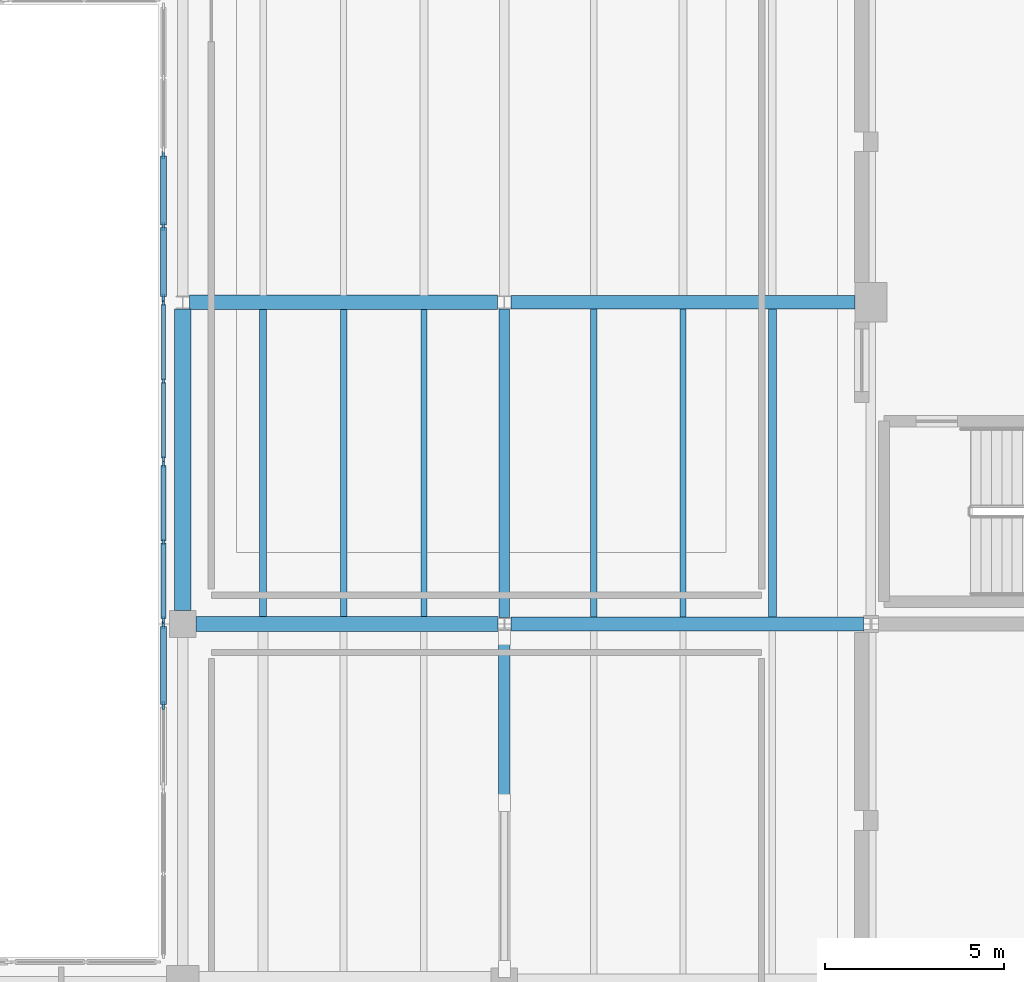
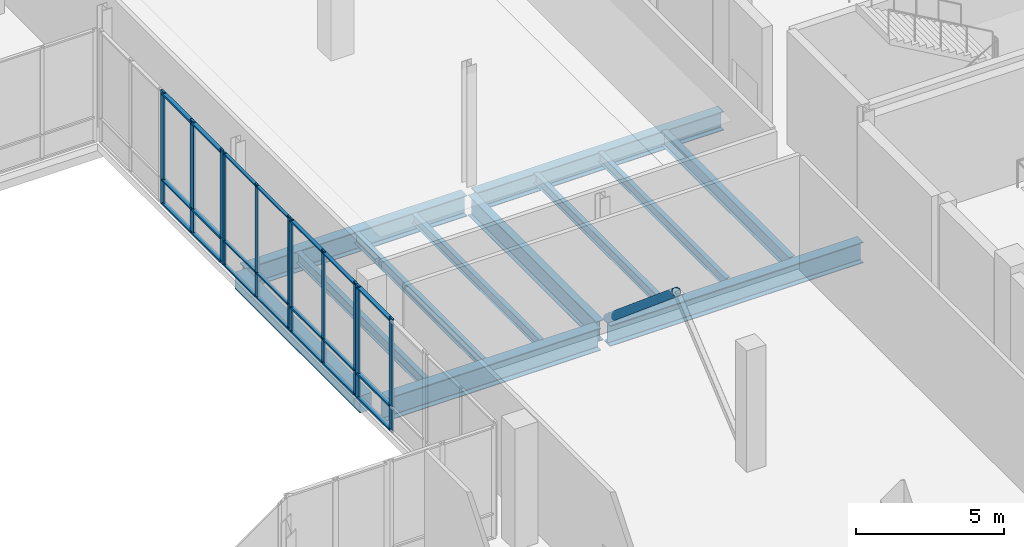
# One storey, part 35 of 81: 33 members, 12 beams, 4 elements without a shape of their own.
"""IFC4 building model written with IfcOpenShell, lengths in metres."""

from ifc_helpers import new_model, si_unit, direction, frame, origin, origin_2d, place, context, subcontext, project, spatial, rectangle, hollow_circle, i_section, extrude, material, material_profile, profile_set, type_object, element, aggregate, save


model = new_model("IFC4")

# Units and contexts
model_context = context("Model", 3, precision=1e-05, world=origin(), true_north=direction((0.0, 1.0)))
body_context = subcontext(model_context, "Body", "Model", "MODEL_VIEW")
ifc_project = project(units=[si_unit("LENGTHUNIT", "METRE"), si_unit("AREAUNIT", "SQUARE_METRE"), si_unit("VOLUMEUNIT", "CUBIC_METRE"), si_unit("PLANEANGLEUNIT", "RADIAN"), si_unit("MASSUNIT", "GRAM", prefix="KILO")], contexts=[model_context])

# Site, building, storey
site_placement = place(None, origin())
site = spatial("IfcSite", under=ifc_project, at=site_placement, CompositionType="ELEMENT")
building_placement = place(site_placement, origin())
building = spatial("IfcBuilding", under=site, at=building_placement, Name="Trimount Lyric Opera House", CompositionType="ELEMENT")
storey_placement = place(building_placement, frame((0.0, 0.0, 5.0)))
storey = spatial("IfcBuildingStorey", under=building, at=storey_placement, Name="L01", CompositionType="ELEMENT", Elevation=5.0)

# Beams
ifc_material_1 = material(Name="Steel ASTM A992 Grade 50", Category="steel")
ifc_material_profile_1 = material_profile(ifc_material_1, i_section(OverallWidth=0.4189453125, OverallDepth=0.927001953125, WebThickness=0.019287109375, FlangeThickness=0.031982421875, FilletRadius=0.02392578125, at=origin_2d()), Name="W36X231")
ifc_profile_set_1 = profile_set([ifc_material_profile_1], Name="Steel ASTM A992 Grade 50")
beam_type_1 = type_object("IfcBeamType", Name="B-02", PredefinedType="BEAM", material=ifc_profile_set_1)
beam_1_placement = place(storey_placement, frame((45.375, 84.0, -0.743408203125), z_axis=(1.0, 0.0, 0.0), x_axis=(0.0, 1.0, 0.0)))
element("IfcBeam", 1, at=beam_1_placement, inside=storey, type_object=beam_type_1, Name="L01 girder X-0534", PredefinedType="BEAM", context=body_context, shape_type="SweptSolid", body=[
    extrude(i_section(OverallWidth=0.4189453125, OverallDepth=0.927001953125, WebThickness=0.019287109375, FlangeThickness=0.031982421875, FilletRadius=0.02392578125, at=origin_2d()), origin(), (0.0, 0.0, 1.0), 8.44091796875),
])
ifc_material_2 = material(Name="Steel ASTM A992 Grade 50", Category="steel")
ifc_material_profile_2 = material_profile(ifc_material_2, i_section(OverallWidth=0.40087890625, OverallDepth=0.861083984375, WebThickness=0.019775390625, FlangeThickness=0.032470703125, FilletRadius=0.02001953125, at=origin_2d()), Name="W33X221")
ifc_profile_set_2 = profile_set([ifc_material_profile_2], Name="Steel ASTM A992 Grade 50")
beam_type_2 = type_object("IfcBeamType", Name="B-04", PredefinedType="BEAM", material=ifc_profile_set_2)
beam_2_placement = place(storey_placement, frame((54.18408203125, 84.0, -0.755615234375), z_axis=(1.0, 0.0, 0.0), x_axis=(0.0, 1.0, 0.0)))
element("IfcBeam", 2, at=beam_2_placement, inside=storey, type_object=beam_type_2, Name="L01 girder X-0535", PredefinedType="BEAM", context=body_context, shape_type="SweptSolid", body=[
    extrude(i_section(OverallWidth=0.40087890625, OverallDepth=0.861083984375, WebThickness=0.019775390625, FlangeThickness=0.032470703125, FilletRadius=0.02001953125, at=origin_2d()), origin(), (0.0, 0.0, 1.0), 9.864990234375),
])
beam_3_placement = place(storey_placement, frame((45.18408203125, 93.0, -0.71044921875), z_axis=(1.0, 0.0, 0.0), x_axis=(0.0, 1.0, 0.0)))
element("IfcBeam", 3, at=beam_3_placement, inside=storey, type_object=beam_type_2, Name="L01 girder X-0544", PredefinedType="BEAM", context=body_context, shape_type="SweptSolid", body=[
    extrude(i_section(OverallWidth=0.40087890625, OverallDepth=0.861083984375, WebThickness=0.019775390625, FlangeThickness=0.032470703125, FilletRadius=0.02001953125, at=origin_2d()), origin(), (0.0, 0.0, 1.0), 8.62939453125),
])
ifc_material_3 = material(Name="Steel ASTM A992 Grade 50", Category="steel")
ifc_material_profile_3 = material_profile(ifc_material_3, i_section(OverallWidth=0.2919921875, OverallDepth=0.845947265625, WebThickness=0.015380859375, FlangeThickness=0.0244140625, FilletRadius=0.01806640625, at=origin_2d()), Name="W33X141")
ifc_profile_set_3 = profile_set([ifc_material_profile_3], Name="Steel ASTM A992 Grade 50")
beam_type_3 = type_object("IfcBeamType", Name="B-05", PredefinedType="BEAM", material=ifc_profile_set_3)
beam_4_placement = place(storey_placement, frame((54.0, 84.177978515625, -0.702880859375), z_axis=(0.0, 1.0, 0.0), x_axis=(-1.0, 0.0, 0.0)))
element("IfcBeam", 4, at=beam_4_placement, inside=storey, type_object=beam_type_3, Name="L01 girder Y-0643", PredefinedType="BEAM", context=body_context, shape_type="SweptSolid", body=[
    extrude(i_section(OverallWidth=0.2919921875, OverallDepth=0.845947265625, WebThickness=0.015380859375, FlangeThickness=0.0244140625, FilletRadius=0.01806640625, at=origin_2d()), origin(), (0.0, 0.0, 1.0), 8.637939453125),
])
ifc_material_4 = material(Name="Steel ASTM A992 Grade 50", Category="steel")
ifc_material_profile_4 = material_profile(ifc_material_4, i_section(OverallWidth=0.382080078125, OverallDepth=0.779052734375, WebThickness=0.01806640625, FlangeThickness=0.0302734375, FilletRadius=0.01904296875, at=origin_2d()), Name="W30X191")
ifc_profile_set_4 = profile_set([ifc_material_profile_4], Name="Steel ASTM A992 Grade 50")
beam_type_4 = type_object("IfcBeamType", Name="B-06", PredefinedType="BEAM", material=ifc_profile_set_4)
beam_5_placement = place(storey_placement, frame((54.1865234375, 93.0, -0.714599609375), z_axis=(1.0, 0.0, 0.0), x_axis=(0.0, 1.0, 0.0)))
element("IfcBeam", 5, at=beam_5_placement, inside=storey, type_object=beam_type_4, Name="L01 girder X-0545", PredefinedType="BEAM", context=body_context, shape_type="SweptSolid", body=[
    extrude(i_section(OverallWidth=0.382080078125, OverallDepth=0.779052734375, WebThickness=0.01806640625, FlangeThickness=0.0302734375, FilletRadius=0.01904296875, at=origin_2d()), origin(), (0.0, 0.0, 1.0), 9.62353515625),
])

# Member
ifc_material_5 = material(Name="Steel ASTM A500 Grade C", Category="steel")
ifc_material_profile_5 = material_profile(ifc_material_5, hollow_circle(Radius=0.161865234375, WallThickness=0.01171875, at=origin_2d()), Name="HSS323.9X12.7")
ifc_profile_set_5 = profile_set([ifc_material_profile_5], Name="Steel ASTM A500 Grade C")
member_type_1 = type_object("IfcMemberType", Name="BR-05", PredefinedType="BRACE", material=ifc_profile_set_5)
member_1_placement = place(storey_placement, frame((54.0, 83.64990234375, 0.14990234375), z_axis=(0.0, -0.766173014074, 0.642634353661), x_axis=(1.0, 0.0, 0.0)))
element("IfcMember", 6, at=member_1_placement, inside=storey, type_object=member_type_1, Name="L01 lateral chevron brace BF-2.2", PredefinedType="BRACE", context=body_context, shape_type="SweptSolid", body=[
    extrude(hollow_circle(Radius=0.161865234375, WallThickness=0.01171875, at=origin_2d()), origin(), (0.0, 0.0, 1.0), 6.069091796875),
])

# Beams
ifc_material_6 = material(Name="Steel ASTM A992 Grade 50", Category="steel")
ifc_material_profile_6 = material_profile(ifc_material_6, i_section(OverallWidth=0.22802734375, OverallDepth=0.60205078125, WebThickness=0.010498046875, FlangeThickness=0.014892578125, FilletRadius=0.012939453125, at=origin_2d()), Name="W24X68")
ifc_profile_set_6 = profile_set([ifc_material_profile_6], Name="Steel ASTM A992 Grade 50")
beam_type_5 = type_object("IfcBeamType", Name="J-01", PredefinedType="BEAM", material=ifc_profile_set_6)
beam_6_placement = place(storey_placement, frame((61.5, 84.196533203125, -0.5810546875), z_axis=(0.0, 1.0, 0.0), x_axis=(-1.0, 0.0, 0.0)))
element("IfcBeam", 7, at=beam_6_placement, inside=storey, type_object=beam_type_5, Name="L01 composite floor joist 0679", PredefinedType="BEAM", context=body_context, shape_type="SweptSolid", body=[
    extrude(i_section(OverallWidth=0.22802734375, OverallDepth=0.60205078125, WebThickness=0.010498046875, FlangeThickness=0.014892578125, FilletRadius=0.012939453125, at=origin_2d()), origin(), (0.0, 0.0, 1.0), 8.616455078125),
])
ifc_material_7 = material(Name="Steel ASTM A992 Grade 50", Category="steel")
ifc_material_profile_7 = material_profile(ifc_material_7, i_section(OverallWidth=0.19091796875, OverallDepth=0.45703125, WebThickness=0.009033203125, FlangeThickness=0.014404296875, FilletRadius=0.010986328125, at=origin_2d()), Name="W18X50")
ifc_profile_set_7 = profile_set([ifc_material_profile_7], Name="Steel ASTM A992 Grade 50")
beam_type_6 = type_object("IfcBeamType", Name="J-04", PredefinedType="BEAM", material=ifc_profile_set_7)
beam_7_placement = place(storey_placement, frame((47.25, 84.20556640625, -0.508544921875), z_axis=(0.0, 1.0, 0.0), x_axis=(-1.0, 0.0, 0.0)))
element("IfcBeam", 8, at=beam_7_placement, inside=storey, type_object=beam_type_6, Name="L01 composite floor joist 0650", PredefinedType="BEAM", context=body_context, shape_type="SweptSolid", body=[
    extrude(i_section(OverallWidth=0.19091796875, OverallDepth=0.45703125, WebThickness=0.009033203125, FlangeThickness=0.014404296875, FilletRadius=0.010986328125, at=origin_2d()), origin(), (0.0, 0.0, 1.0), 8.597900390625),
])
ifc_material_8 = material(Name="Steel ASTM A992 Grade 50", Category="steel")
ifc_material_profile_8 = material_profile(ifc_material_8, i_section(OverallWidth=0.180908203125, OverallDepth=0.4169921875, WebThickness=0.010986328125, FlangeThickness=0.018310546875, FilletRadius=0.010986328125, at=origin_2d()), Name="W16X57")
ifc_profile_set_8 = profile_set([ifc_material_profile_8], Name="Steel ASTM A992 Grade 50")
beam_type_7 = type_object("IfcBeamType", Name="J-05", PredefinedType="BEAM", material=ifc_profile_set_8)
beam_8_placement = place(storey_placement, frame((49.5, 84.20556640625, -0.488525390625), z_axis=(0.0, 1.0, 0.0), x_axis=(-1.0, 0.0, 0.0)))
element("IfcBeam", 9, at=beam_8_placement, inside=storey, type_object=beam_type_7, Name="L01 composite floor joist 0651", PredefinedType="BEAM", context=body_context, shape_type="SweptSolid", body=[
    extrude(i_section(OverallWidth=0.180908203125, OverallDepth=0.4169921875, WebThickness=0.010986328125, FlangeThickness=0.018310546875, FilletRadius=0.010986328125, at=origin_2d()), origin(), (0.0, 0.0, 1.0), 8.597900390625),
])
beam_9_placement = place(storey_placement, frame((56.5, 84.196533203125, -0.488525390625), z_axis=(0.0, 1.0, 0.0), x_axis=(-1.0, 0.0, 0.0)))
element("IfcBeam", 10, at=beam_9_placement, inside=storey, type_object=beam_type_7, Name="L01 composite floor joist 0677", PredefinedType="BEAM", context=body_context, shape_type="SweptSolid", body=[
    extrude(i_section(OverallWidth=0.180908203125, OverallDepth=0.4169921875, WebThickness=0.010986328125, FlangeThickness=0.018310546875, FilletRadius=0.010986328125, at=origin_2d()), origin(), (0.0, 0.0, 1.0), 8.616455078125),
])
ifc_material_9 = material(Name="Steel ASTM A992 Grade 50", Category="steel")
ifc_material_profile_9 = material_profile(ifc_material_9, i_section(OverallWidth=0.177978515625, OverallDepth=0.404052734375, WebThickness=0.007568359375, FlangeThickness=0.010986328125, FilletRadius=0.010009765625, at=origin_2d()), Name="W16X36")
ifc_profile_set_9 = profile_set([ifc_material_profile_9], Name="Steel ASTM A992 Grade 50")
beam_type_8 = type_object("IfcBeamType", Name="J-06", PredefinedType="BEAM", material=ifc_profile_set_9)
beam_10_placement = place(storey_placement, frame((51.75, 84.20556640625, -0.48193359375), z_axis=(0.0, 1.0, 0.0), x_axis=(-1.0, 0.0, 0.0)))
element("IfcBeam", 11, at=beam_10_placement, inside=storey, type_object=beam_type_8, Name="L01 composite floor joist 0652", PredefinedType="BEAM", context=body_context, shape_type="SweptSolid", body=[
    extrude(i_section(OverallWidth=0.177978515625, OverallDepth=0.404052734375, WebThickness=0.007568359375, FlangeThickness=0.010986328125, FilletRadius=0.010009765625, at=origin_2d()), origin(), (0.0, 0.0, 1.0), 8.597900390625),
])
beam_11_placement = place(storey_placement, frame((59.0, 84.196533203125, -0.48193359375), z_axis=(0.0, 1.0, 0.0), x_axis=(-1.0, 0.0, 0.0)))
element("IfcBeam", 12, at=beam_11_placement, inside=storey, type_object=beam_type_8, Name="L01 composite floor joist 0678", PredefinedType="BEAM", context=body_context, shape_type="SweptSolid", body=[
    extrude(i_section(OverallWidth=0.177978515625, OverallDepth=0.404052734375, WebThickness=0.007568359375, FlangeThickness=0.010986328125, FilletRadius=0.010009765625, at=origin_2d()), origin(), (0.0, 0.0, 1.0), 8.616455078125),
])

# Curtain wall, members
ifc_material_10 = material(Name="Thermally Broken Aluminium and Low-E Glass", Category="aluminium")
curtain_wall_type = type_object("IfcCurtainWallType", Name="CW-03", PredefinedType="NOTDEFINED", material=ifc_material_10)
curtain_wall_1_placement = place(storey_placement, origin())
curtain_wall_1 = element("IfcCurtainWall", 13, at=curtain_wall_1_placement, inside=storey, type_object=curtain_wall_type, Name="L01 curtain wall 150", PredefinedType="NOTDEFINED")
ifc_material_11 = material(Name="Anodised Aluminium 6063-T6", Category="aluminium")
ifc_material_profile_10 = material_profile(ifc_material_11, rectangle(XDim=0.070068359375, YDim=0.219970703125, at=origin_2d()), Name="ALU-MULL-70X220")
ifc_profile_set_10 = profile_set([ifc_material_profile_10], Name="Anodised Aluminium 6063-T6")
member_type_2 = type_object("IfcMemberType", Name="ML-01", PredefinedType="MULLION", material=ifc_profile_set_10)
member_2_placement = place(storey_placement, frame((44.4599609375, 81.715087890625, 0.0), z_axis=(0.0, 0.0, 1.0), x_axis=(-1.0, 0.0, 0.0)))
member_2 = element("IfcMember", 14, at=member_2_placement, type_object=member_type_2, Name="CW-03 mullion 2", PredefinedType="MULLION", context=body_context, shape_type="SweptSolid", body=[
    extrude(rectangle(XDim=0.070068359375, YDim=0.219970703125, at=origin_2d()), origin(), (0.0, 0.0, 1.0), 4.679931640625),
])
member_3_placement = place(storey_placement, frame((44.4599609375, 83.965087890625, 0.0), z_axis=(0.0, 0.0, 1.0), x_axis=(-1.0, 0.0, 0.0)))
member_3 = element("IfcMember", 15, at=member_3_placement, type_object=member_type_2, Name="CW-03 mullion 3", PredefinedType="MULLION", context=body_context, shape_type="SweptSolid", body=[
    extrude(rectangle(XDim=0.070068359375, YDim=0.219970703125, at=origin_2d()), origin(), (0.0, 0.0, 1.0), 4.679931640625),
])

curtain_wall_2_placement = place(storey_placement, origin())
curtain_wall_2 = element("IfcCurtainWall", 16, at=curtain_wall_2_placement, inside=storey, type_object=curtain_wall_type, Name="L01 curtain wall 153", PredefinedType="NOTDEFINED")
member_4_placement = place(storey_placement, frame((44.4599609375, 93.125, 0.0), z_axis=(0.0, 0.0, 1.0), x_axis=(-1.0, 0.0, 0.0)))
member_4 = element("IfcMember", 17, at=member_4_placement, type_object=member_type_2, Name="CW-03 mullion 1", PredefinedType="MULLION", context=body_context, shape_type="SweptSolid", body=[
    extrude(rectangle(XDim=0.070068359375, YDim=0.219970703125, at=origin_2d()), origin(), (0.0, 0.0, 1.0), 4.679931640625),
])
member_5_placement = place(storey_placement, frame((44.4599609375, 95.125, 0.0), z_axis=(0.0, 0.0, 1.0), x_axis=(-1.0, 0.0, 0.0)))
member_5 = element("IfcMember", 18, at=member_5_placement, type_object=member_type_2, Name="CW-03 mullion 2", PredefinedType="MULLION", context=body_context, shape_type="SweptSolid", body=[
    extrude(rectangle(XDim=0.070068359375, YDim=0.219970703125, at=origin_2d()), origin(), (0.0, 0.0, 1.0), 4.679931640625),
])
member_6_placement = place(storey_placement, frame((44.4599609375, 97.125, 0.0), z_axis=(0.0, 0.0, 1.0), x_axis=(-1.0, 0.0, 0.0)))
member_6 = element("IfcMember", 19, at=member_6_placement, type_object=member_type_2, Name="CW-03 mullion 3", PredefinedType="MULLION", context=body_context, shape_type="SweptSolid", body=[
    extrude(rectangle(XDim=0.070068359375, YDim=0.219970703125, at=origin_2d()), origin(), (0.0, 0.0, 1.0), 4.679931640625),
])

curtain_wall_3_placement = place(storey_placement, origin())
curtain_wall_3 = element("IfcCurtainWall", 20, at=curtain_wall_3_placement, inside=storey, type_object=curtain_wall_type, Name="L01 curtain wall 151", PredefinedType="NOTDEFINED")
ifc_material_12 = material(Name="Anodised Aluminium 6063-T6", Category="aluminium")
ifc_material_profile_11 = material_profile(ifc_material_12, rectangle(XDim=0.06494140625, YDim=0.179931640625, at=origin_2d()), Name="ALU-MULL-65X180")
ifc_profile_set_11 = profile_set([ifc_material_profile_11], Name="Anodised Aluminium 6063-T6")
member_type_3 = type_object("IfcMemberType", Name="ML-02", PredefinedType="MULLION", material=ifc_profile_set_11)
member_7_placement = place(storey_placement, frame((44.4599609375, 84.12255859375, 0.0), z_axis=(0.0, 0.0, 1.0), x_axis=(-1.0, 0.0, 0.0)))
member_7 = element("IfcMember", 21, at=member_7_placement, type_object=member_type_3, Name="CW-03 mullion 1", PredefinedType="MULLION", context=body_context, shape_type="SweptSolid", body=[
    extrude(rectangle(XDim=0.06494140625, YDim=0.179931640625, at=origin_2d()), origin(), (0.0, 0.0, 1.0), 4.679931640625),
])
member_8_placement = place(storey_placement, frame((44.4599609375, 86.294921875, 0.0), z_axis=(0.0, 0.0, 1.0), x_axis=(-1.0, 0.0, 0.0)))
member_8 = element("IfcMember", 22, at=member_8_placement, type_object=member_type_3, Name="CW-03 mullion 2", PredefinedType="MULLION", context=body_context, shape_type="SweptSolid", body=[
    extrude(rectangle(XDim=0.06494140625, YDim=0.179931640625, at=origin_2d()), origin(), (0.0, 0.0, 1.0), 4.679931640625),
])
member_9_placement = place(storey_placement, frame((44.4599609375, 88.467529296875, 0.0), z_axis=(0.0, 0.0, 1.0), x_axis=(-1.0, 0.0, 0.0)))
member_9 = element("IfcMember", 23, at=member_9_placement, type_object=member_type_3, Name="CW-03 mullion 3", PredefinedType="MULLION", context=body_context, shape_type="SweptSolid", body=[
    extrude(rectangle(XDim=0.06494140625, YDim=0.179931640625, at=origin_2d()), origin(), (0.0, 0.0, 1.0), 4.679931640625),
])

curtain_wall_4_placement = place(storey_placement, origin())
curtain_wall_4 = element("IfcCurtainWall", 24, at=curtain_wall_4_placement, inside=storey, type_object=curtain_wall_type, Name="L01 curtain wall 152", PredefinedType="NOTDEFINED")
ifc_material_13 = material(Name="Anodised Aluminium 6063-T6", Category="aluminium")
ifc_material_profile_12 = material_profile(ifc_material_13, rectangle(XDim=0.06005859375, YDim=0.14990234375, at=origin_2d()), Name="ALU-MULL-60X150")
ifc_profile_set_12 = profile_set([ifc_material_profile_12], Name="Anodised Aluminium 6063-T6")
member_type_4 = type_object("IfcMemberType", Name="ML-03", PredefinedType="MULLION", material=ifc_profile_set_12)
member_10_placement = place(storey_placement, frame((44.4599609375, 88.6201171875, 0.0), z_axis=(0.0, 0.0, 1.0), x_axis=(-1.0, 0.0, 0.0)))
member_10 = element("IfcMember", 25, at=member_10_placement, type_object=member_type_4, Name="CW-03 mullion 1", PredefinedType="MULLION", context=body_context, shape_type="SweptSolid", body=[
    extrude(rectangle(XDim=0.06005859375, YDim=0.14990234375, at=origin_2d()), origin(), (0.0, 0.0, 1.0), 4.679931640625),
])
member_11_placement = place(storey_placement, frame((44.4599609375, 90.794921875, 0.0), z_axis=(0.0, 0.0, 1.0), x_axis=(-1.0, 0.0, 0.0)))
member_11 = element("IfcMember", 26, at=member_11_placement, type_object=member_type_4, Name="CW-03 mullion 2", PredefinedType="MULLION", context=body_context, shape_type="SweptSolid", body=[
    extrude(rectangle(XDim=0.06005859375, YDim=0.14990234375, at=origin_2d()), origin(), (0.0, 0.0, 1.0), 4.679931640625),
])
member_12_placement = place(storey_placement, frame((44.4599609375, 92.969970703125, 0.0), z_axis=(0.0, 0.0, 1.0), x_axis=(-1.0, 0.0, 0.0)))
member_12 = element("IfcMember", 27, at=member_12_placement, type_object=member_type_4, Name="CW-03 mullion 3", PredefinedType="MULLION", context=body_context, shape_type="SweptSolid", body=[
    extrude(rectangle(XDim=0.06005859375, YDim=0.14990234375, at=origin_2d()), origin(), (0.0, 0.0, 1.0), 4.679931640625),
])

# Beam
ifc_material_14 = material(Name="Concrete C40/50", Category="concrete")
ifc_material_profile_13 = material_profile(ifc_material_14, rectangle(XDim=0.449951171875, YDim=0.699951171875, at=origin_2d()), Name="RC450X700")
ifc_profile_set_13 = profile_set([ifc_material_profile_13], Name="Concrete C40/50")
beam_type_9 = type_object("IfcBeamType", Name="SP-02", PredefinedType="SPANDREL", material=ifc_profile_set_13)
beam_12_placement = place(storey_placement, frame((45.0, 84.375, -0.6298828125), z_axis=(0.0, 1.0, 0.0), x_axis=(-1.0, 0.0, 0.0)))
element("IfcBeam", 28, at=beam_12_placement, inside=storey, type_object=beam_type_9, Name="L01 girder Y-0633", PredefinedType="SPANDREL", context=body_context, shape_type="SweptSolid", body=[
    extrude(rectangle(XDim=0.449951171875, YDim=0.699951171875, at=origin_2d()), origin(), (0.0, 0.0, 1.0), 8.447021484375),
])

# Member
ifc_material_15 = material(Name="Anodised Aluminium 6063-T6", Category="aluminium")
ifc_material_profile_14 = material_profile(ifc_material_15, rectangle(XDim=0.159912109375, YDim=0.070068359375, at=origin_2d()), Name="ALU-TRAN-70X160")
ifc_profile_set_14 = profile_set([ifc_material_profile_14], Name="Anodised Aluminium 6063-T6")
member_type_5 = type_object("IfcMemberType", Name="TR-01", PredefinedType="USERDEFINED", material=ifc_profile_set_14)
member_13_placement = place(storey_placement, frame((44.4599609375, 81.75, 0.080078125), z_axis=(0.0, 1.0, 0.0), x_axis=(-1.0, 0.0, 0.0)))
member_13 = element("IfcMember", 29, at=member_13_placement, type_object=member_type_5, Name="CW-03 transom 2.1", ObjectType="TRANSOM", PredefinedType="USERDEFINED", context=body_context, shape_type="SweptSolid", body=[
    extrude(rectangle(XDim=0.159912109375, YDim=0.070068359375, at=origin_2d()), origin(), (0.0, 0.0, 1.0), 2.179931640625),
])

member_14_placement = place(storey_placement, frame((44.4599609375, 81.75, 1.050048828125), z_axis=(0.0, 1.0, 0.0), x_axis=(-1.0, 0.0, 0.0)))
member_14 = element("IfcMember", 30, at=member_14_placement, type_object=member_type_5, Name="CW-03 transom 2.2", ObjectType="TRANSOM", PredefinedType="USERDEFINED", context=body_context, shape_type="SweptSolid", body=[
    extrude(rectangle(XDim=0.159912109375, YDim=0.070068359375, at=origin_2d()), origin(), (0.0, 0.0, 1.0), 2.179931640625),
])

member_15_placement = place(storey_placement, frame((44.4599609375, 81.75, 4.60009765625), z_axis=(0.0, 1.0, 0.0), x_axis=(-1.0, 0.0, 0.0)))
member_15 = element("IfcMember", 31, at=member_15_placement, type_object=member_type_5, Name="CW-03 transom 2.3", ObjectType="TRANSOM", PredefinedType="USERDEFINED", context=body_context, shape_type="SweptSolid", body=[
    extrude(rectangle(XDim=0.159912109375, YDim=0.070068359375, at=origin_2d()), origin(), (0.0, 0.0, 1.0), 2.179931640625),
])

aggregate(curtain_wall_1, [member_2, member_3, member_13, member_14, member_15])

member_16_placement = place(storey_placement, frame((44.4599609375, 93.159912109375, 0.080078125), z_axis=(0.0, 1.0, 0.0), x_axis=(-1.0, 0.0, 0.0)))
member_16 = element("IfcMember", 32, at=member_16_placement, type_object=member_type_5, Name="CW-03 transom 1.1", ObjectType="TRANSOM", PredefinedType="USERDEFINED", context=body_context, shape_type="SweptSolid", body=[
    extrude(rectangle(XDim=0.159912109375, YDim=0.070068359375, at=origin_2d()), origin(), (0.0, 0.0, 1.0), 1.93017578125),
])

member_17_placement = place(storey_placement, frame((44.4599609375, 93.159912109375, 1.050048828125), z_axis=(0.0, 1.0, 0.0), x_axis=(-1.0, 0.0, 0.0)))
member_17 = element("IfcMember", 33, at=member_17_placement, type_object=member_type_5, Name="CW-03 transom 1.2", ObjectType="TRANSOM", PredefinedType="USERDEFINED", context=body_context, shape_type="SweptSolid", body=[
    extrude(rectangle(XDim=0.159912109375, YDim=0.070068359375, at=origin_2d()), origin(), (0.0, 0.0, 1.0), 1.93017578125),
])

member_18_placement = place(storey_placement, frame((44.4599609375, 93.159912109375, 4.60009765625), z_axis=(0.0, 1.0, 0.0), x_axis=(-1.0, 0.0, 0.0)))
member_18 = element("IfcMember", 34, at=member_18_placement, type_object=member_type_5, Name="CW-03 transom 1.3", ObjectType="TRANSOM", PredefinedType="USERDEFINED", context=body_context, shape_type="SweptSolid", body=[
    extrude(rectangle(XDim=0.159912109375, YDim=0.070068359375, at=origin_2d()), origin(), (0.0, 0.0, 1.0), 1.93017578125),
])

member_19_placement = place(storey_placement, frame((44.4599609375, 95.159912109375, 0.080078125), z_axis=(0.0, 1.0, 0.0), x_axis=(-1.0, 0.0, 0.0)))
member_19 = element("IfcMember", 35, at=member_19_placement, type_object=member_type_5, Name="CW-03 transom 2.1", ObjectType="TRANSOM", PredefinedType="USERDEFINED", context=body_context, shape_type="SweptSolid", body=[
    extrude(rectangle(XDim=0.159912109375, YDim=0.070068359375, at=origin_2d()), origin(), (0.0, 0.0, 1.0), 1.93017578125),
])

member_20_placement = place(storey_placement, frame((44.4599609375, 95.159912109375, 1.050048828125), z_axis=(0.0, 1.0, 0.0), x_axis=(-1.0, 0.0, 0.0)))
member_20 = element("IfcMember", 36, at=member_20_placement, type_object=member_type_5, Name="CW-03 transom 2.2", ObjectType="TRANSOM", PredefinedType="USERDEFINED", context=body_context, shape_type="SweptSolid", body=[
    extrude(rectangle(XDim=0.159912109375, YDim=0.070068359375, at=origin_2d()), origin(), (0.0, 0.0, 1.0), 1.93017578125),
])

member_21_placement = place(storey_placement, frame((44.4599609375, 95.159912109375, 4.60009765625), z_axis=(0.0, 1.0, 0.0), x_axis=(-1.0, 0.0, 0.0)))
member_21 = element("IfcMember", 37, at=member_21_placement, type_object=member_type_5, Name="CW-03 transom 2.3", ObjectType="TRANSOM", PredefinedType="USERDEFINED", context=body_context, shape_type="SweptSolid", body=[
    extrude(rectangle(XDim=0.159912109375, YDim=0.070068359375, at=origin_2d()), origin(), (0.0, 0.0, 1.0), 1.93017578125),
])

aggregate(curtain_wall_2, [member_4, member_5, member_6, member_16, member_17, member_18, member_19, member_20, member_21])

ifc_material_16 = material(Name="Anodised Aluminium 6063-T6", Category="aluminium")
ifc_material_profile_15 = material_profile(ifc_material_16, rectangle(XDim=0.135009765625, YDim=0.06494140625, at=origin_2d()), Name="ALU-TRAN-65X135")
ifc_profile_set_15 = profile_set([ifc_material_profile_15], Name="Anodised Aluminium 6063-T6")
member_type_6 = type_object("IfcMemberType", Name="TR-02", PredefinedType="USERDEFINED", material=ifc_profile_set_15)
member_22_placement = place(storey_placement, frame((44.4599609375, 84.155029296875, 0.0673828125), z_axis=(0.0, 1.0, 0.0), x_axis=(-1.0, 0.0, 0.0)))
member_22 = element("IfcMember", 38, at=member_22_placement, type_object=member_type_6, Name="CW-03 transom 1.1", ObjectType="TRANSOM", PredefinedType="USERDEFINED", context=body_context, shape_type="SweptSolid", body=[
    extrude(rectangle(XDim=0.135009765625, YDim=0.06494140625, at=origin_2d()), origin(), (0.0, 0.0, 1.0), 2.107421875),
])

member_23_placement = place(storey_placement, frame((44.4599609375, 84.155029296875, 1.050048828125), z_axis=(0.0, 1.0, 0.0), x_axis=(-1.0, 0.0, 0.0)))
member_23 = element("IfcMember", 39, at=member_23_placement, type_object=member_type_6, Name="CW-03 transom 1.2", ObjectType="TRANSOM", PredefinedType="USERDEFINED", context=body_context, shape_type="SweptSolid", body=[
    extrude(rectangle(XDim=0.135009765625, YDim=0.06494140625, at=origin_2d()), origin(), (0.0, 0.0, 1.0), 2.107421875),
])

member_24_placement = place(storey_placement, frame((44.4599609375, 84.155029296875, 4.612548828125), z_axis=(0.0, 1.0, 0.0), x_axis=(-1.0, 0.0, 0.0)))
member_24 = element("IfcMember", 40, at=member_24_placement, type_object=member_type_6, Name="CW-03 transom 1.3", ObjectType="TRANSOM", PredefinedType="USERDEFINED", context=body_context, shape_type="SweptSolid", body=[
    extrude(rectangle(XDim=0.135009765625, YDim=0.06494140625, at=origin_2d()), origin(), (0.0, 0.0, 1.0), 2.107421875),
])

member_25_placement = place(storey_placement, frame((44.4599609375, 86.327392578125, 0.0673828125), z_axis=(0.0, 1.0, 0.0), x_axis=(-1.0, 0.0, 0.0)))
member_25 = element("IfcMember", 41, at=member_25_placement, type_object=member_type_6, Name="CW-03 transom 2.1", ObjectType="TRANSOM", PredefinedType="USERDEFINED", context=body_context, shape_type="SweptSolid", body=[
    extrude(rectangle(XDim=0.135009765625, YDim=0.06494140625, at=origin_2d()), origin(), (0.0, 0.0, 1.0), 2.107666015625),
])

member_26_placement = place(storey_placement, frame((44.4599609375, 86.327392578125, 1.050048828125), z_axis=(0.0, 1.0, 0.0), x_axis=(-1.0, 0.0, 0.0)))
member_26 = element("IfcMember", 42, at=member_26_placement, type_object=member_type_6, Name="CW-03 transom 2.2", ObjectType="TRANSOM", PredefinedType="USERDEFINED", context=body_context, shape_type="SweptSolid", body=[
    extrude(rectangle(XDim=0.135009765625, YDim=0.06494140625, at=origin_2d()), origin(), (0.0, 0.0, 1.0), 2.107666015625),
])

member_27_placement = place(storey_placement, frame((44.4599609375, 86.327392578125, 4.612548828125), z_axis=(0.0, 1.0, 0.0), x_axis=(-1.0, 0.0, 0.0)))
member_27 = element("IfcMember", 43, at=member_27_placement, type_object=member_type_6, Name="CW-03 transom 2.3", ObjectType="TRANSOM", PredefinedType="USERDEFINED", context=body_context, shape_type="SweptSolid", body=[
    extrude(rectangle(XDim=0.135009765625, YDim=0.06494140625, at=origin_2d()), origin(), (0.0, 0.0, 1.0), 2.107666015625),
])

aggregate(curtain_wall_3, [member_7, member_8, member_9, member_22, member_23, member_24, member_25, member_26, member_27])

ifc_material_17 = material(Name="Anodised Aluminium 6063-T6", Category="aluminium")
ifc_material_profile_16 = material_profile(ifc_material_17, rectangle(XDim=0.114990234375, YDim=0.06005859375, at=origin_2d()), Name="ALU-TRAN-60X115")
ifc_profile_set_16 = profile_set([ifc_material_profile_16], Name="Anodised Aluminium 6063-T6")
member_type_7 = type_object("IfcMemberType", Name="TR-03", PredefinedType="USERDEFINED", material=ifc_profile_set_16)
member_28_placement = place(storey_placement, frame((44.4599609375, 88.64990234375, 0.0576171875), z_axis=(0.0, 1.0, 0.0), x_axis=(-1.0, 0.0, 0.0)))
member_28 = element("IfcMember", 44, at=member_28_placement, type_object=member_type_7, Name="CW-03 transom 1.1", ObjectType="TRANSOM", PredefinedType="USERDEFINED", context=body_context, shape_type="SweptSolid", body=[
    extrude(rectangle(XDim=0.114990234375, YDim=0.06005859375, at=origin_2d()), origin(), (0.0, 0.0, 1.0), 2.114990234375),
])

member_29_placement = place(storey_placement, frame((44.4599609375, 88.64990234375, 1.050048828125), z_axis=(0.0, 1.0, 0.0), x_axis=(-1.0, 0.0, 0.0)))
member_29 = element("IfcMember", 45, at=member_29_placement, type_object=member_type_7, Name="CW-03 transom 1.2", ObjectType="TRANSOM", PredefinedType="USERDEFINED", context=body_context, shape_type="SweptSolid", body=[
    extrude(rectangle(XDim=0.114990234375, YDim=0.06005859375, at=origin_2d()), origin(), (0.0, 0.0, 1.0), 2.114990234375),
])

member_30_placement = place(storey_placement, frame((44.4599609375, 88.64990234375, 4.62255859375), z_axis=(0.0, 1.0, 0.0), x_axis=(-1.0, 0.0, 0.0)))
member_30 = element("IfcMember", 46, at=member_30_placement, type_object=member_type_7, Name="CW-03 transom 1.3", ObjectType="TRANSOM", PredefinedType="USERDEFINED", context=body_context, shape_type="SweptSolid", body=[
    extrude(rectangle(XDim=0.114990234375, YDim=0.06005859375, at=origin_2d()), origin(), (0.0, 0.0, 1.0), 2.114990234375),
])

member_31_placement = place(storey_placement, frame((44.4599609375, 90.824951171875, 0.0576171875), z_axis=(0.0, 1.0, 0.0), x_axis=(-1.0, 0.0, 0.0)))
member_31 = element("IfcMember", 47, at=member_31_placement, type_object=member_type_7, Name="CW-03 transom 2.1", ObjectType="TRANSOM", PredefinedType="USERDEFINED", context=body_context, shape_type="SweptSolid", body=[
    extrude(rectangle(XDim=0.114990234375, YDim=0.06005859375, at=origin_2d()), origin(), (0.0, 0.0, 1.0), 2.114990234375),
])

member_32_placement = place(storey_placement, frame((44.4599609375, 90.824951171875, 1.050048828125), z_axis=(0.0, 1.0, 0.0), x_axis=(-1.0, 0.0, 0.0)))
member_32 = element("IfcMember", 48, at=member_32_placement, type_object=member_type_7, Name="CW-03 transom 2.2", ObjectType="TRANSOM", PredefinedType="USERDEFINED", context=body_context, shape_type="SweptSolid", body=[
    extrude(rectangle(XDim=0.114990234375, YDim=0.06005859375, at=origin_2d()), origin(), (0.0, 0.0, 1.0), 2.114990234375),
])

member_33_placement = place(storey_placement, frame((44.4599609375, 90.824951171875, 4.62255859375), z_axis=(0.0, 1.0, 0.0), x_axis=(-1.0, 0.0, 0.0)))
member_33 = element("IfcMember", 49, at=member_33_placement, type_object=member_type_7, Name="CW-03 transom 2.3", ObjectType="TRANSOM", PredefinedType="USERDEFINED", context=body_context, shape_type="SweptSolid", body=[
    extrude(rectangle(XDim=0.114990234375, YDim=0.06005859375, at=origin_2d()), origin(), (0.0, 0.0, 1.0), 2.114990234375),
])

aggregate(curtain_wall_4, [member_10, member_11, member_12, member_28, member_29, member_30, member_31, member_32, member_33])

save(model, "model.ifc")
